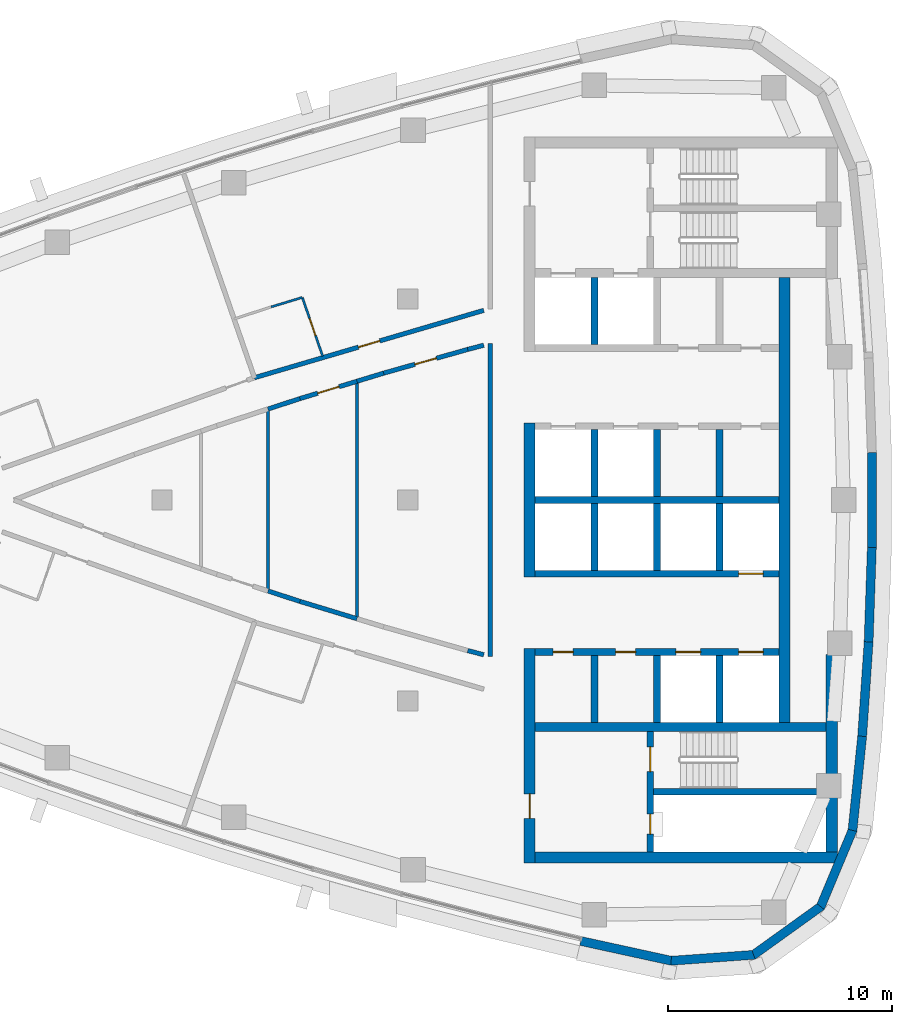
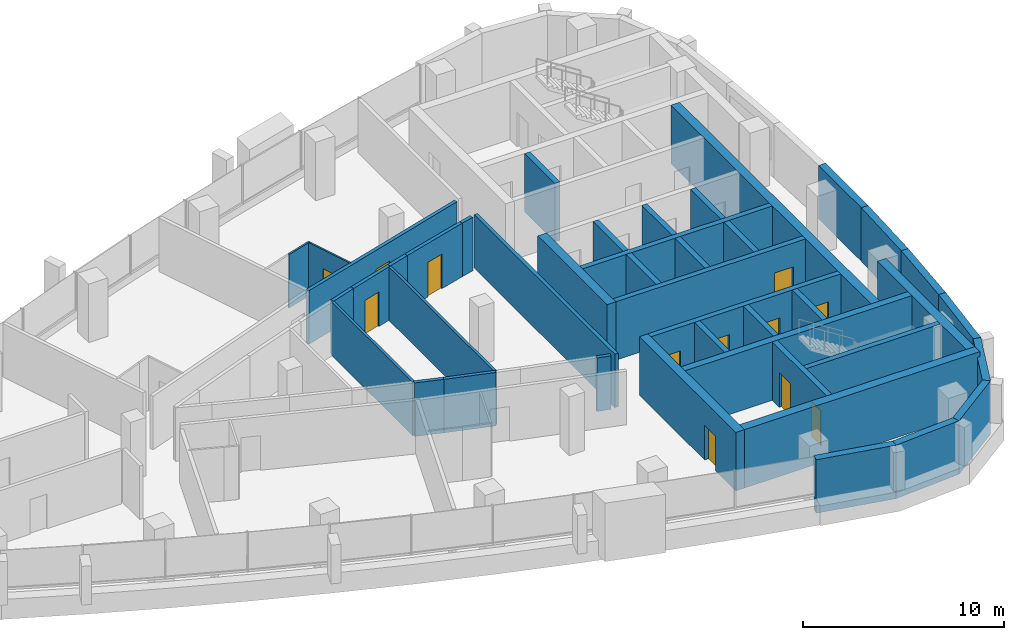
# One storey, part 8 of 13: 43 walls, 12 doors, 12 openings.
"""IFC4 building model written with IfcOpenShell, lengths in metres."""

from ifc_helpers import new_model, si_unit, direction, frame, frame_2d, origin, place, context, subcontext, project, spatial, polyline, rectangle, outline, extrude, material, layer, layer_set, type_object, element, fill, save


model = new_model("IFC4")

# Units and contexts
model_context = context("Model", 3, precision=1e-05, world=origin(), true_north=direction((0.0, 1.0)))
body_context = subcontext(model_context, "Body", "Model", "MODEL_VIEW")
ifc_project = project(units=[si_unit("LENGTHUNIT", "METRE"), si_unit("AREAUNIT", "SQUARE_METRE"), si_unit("VOLUMEUNIT", "CUBIC_METRE"), si_unit("PLANEANGLEUNIT", "RADIAN"), si_unit("MASSUNIT", "GRAM", prefix="KILO")], contexts=[model_context])

# Site, building, storey
site_placement = place(None, origin())
site = spatial("IfcSite", under=ifc_project, at=site_placement, CompositionType="ELEMENT")
building_placement = place(site_placement, origin())
building = spatial("IfcBuilding", under=site, at=building_placement, Name="Ostrand Prow Hotel Tower", CompositionType="ELEMENT")
storey_placement = place(building_placement, frame((0.0, 0.0, 282.10009765625)))
storey = spatial("IfcBuildingStorey", under=building, at=storey_placement, Name="L71", CompositionType="ELEMENT", Elevation=282.10009765625)

# Walls
ifc_material_1 = material(Name="Concrete C50/60", Category="concrete")
ifc_layer_1 = layer(ifc_material_1, 0.300048828125)
ifc_layer_set_1 = layer_set([ifc_layer_1], Name="Concrete C50/60")
wall_type_1 = type_object("IfcWallType", Name="Core wall 300 C50/60", PredefinedType="SHEAR", material=ifc_layer_set_1)
wall_1_placement = place(storey_placement, frame((50.699951171875, 0.0, 0.0), z_axis=(0.0, 0.0, 1.0), x_axis=(1.0, 0.0, 0.0)))
element("IfcWall", 1, at=wall_1_placement, inside=storey, type_object=wall_type_1, Name="Core wall PW-C", PredefinedType="SHEAR", context=body_context, shape_type="SweptSolid", body=[
    extrude(rectangle(XDim=10.900146484375, YDim=0.300048828125, at=frame_2d((5.4501953125, 0.0))), origin(), (0.0, 0.0, 1.0), 3.5498046875),
])
for number, where, z_axis, x_axis, name in (
    (2, (53.35009765625, 0.14990234375, 0.0), (0.0, 0.0, 1.0), (0.0, 1.0, 0.0), "Core wall PW-R1-NB"),
    (3, (53.35009765625, 6.949951171875, 0.0), (0.0, 0.0, 1.0), (0.0, 1.0, 0.0), "Core wall PW-R1-NA"),
    (4, (56.14990234375, 0.14990234375, 0.0), (0.0, 0.0, 1.0), (0.0, 1.0, 0.0), "Core wall PW-R2-NB"),
    (5, (58.949951171875, 0.14990234375, 0.0), (0.0, 0.0, 1.0), (0.0, 1.0, 0.0), "Core wall PW-R3-NB"),
):
    element("IfcWall", number, at=place(storey_placement, frame(where, z_axis=z_axis, x_axis=x_axis)), inside=storey, type_object=wall_type_1, Name=name, PredefinedType="SHEAR", context=body_context, shape_type="SweptSolid", body=[
        extrude(rectangle(XDim=3.0, YDim=0.300048828125, at=frame_2d((1.5, 0.0))), origin(), (0.0, 0.0, 1.0), 3.5498046875),
    ])

# Wall, opening, door
wall_2_placement = place(storey_placement, frame((50.699951171875, -3.300048828125, 0.0), z_axis=(0.0, 0.0, 1.0), x_axis=(1.0, 0.0, 0.0)))
wall_2 = element("IfcWall", 6, at=wall_2_placement, inside=storey, type_object=wall_type_1, Name="Core wall PW-L1-S", PredefinedType="SHEAR", context=body_context, shape_type="SweptSolid", body=[
    extrude(rectangle(XDim=10.900146484375, YDim=0.300048828125, at=frame_2d((5.4501953125, 0.0))), origin(), (0.0, 0.0, 1.0), 3.5498046875),
])
opening_1_placement = place(wall_2_placement, frame((9.10009765625, 0.0, 0.0)))
opening_1 = element("IfcOpeningElement", 7, at=opening_1_placement, cuts=wall_2, Name="Opening LD", PredefinedType="OPENING", context=body_context, shape_type="SweptSolid", body=[
    extrude(rectangle(XDim=1.10009765625, YDim=2.10009765625, at=frame_2d((0.550048828125, 1.050048828125))), frame((0.0, 0.159912109375, 0.0), z_axis=(0.0, -1.0, 0.0), x_axis=(1.0, 0.0, 0.0)), (0.0, 0.0, 1.0), 0.320068359375),
])
ifc_material_2 = material(Name="Stainless steel door", Category="steel")
door_type_1 = type_object("IfcDoorType", Name="Lift landing door 1100", OperationType="DOUBLE_DOOR_SLIDING", PredefinedType="DOOR", material=ifc_material_2)
door_1_placement = place(opening_1_placement, origin())
door_1 = element("IfcDoor", 8, at=door_1_placement, inside=storey, type_object=door_type_1, Name="LIFT LANDING DOOR", OperationType="DOUBLE_DOOR_SLIDING", OverallHeight=2.10009765625, OverallWidth=1.10009765625, PredefinedType="DOOR", context=body_context, shape_type="SweptSolid", body=[
    extrude(rectangle(XDim=1.10009765625, YDim=2.10009765625, at=frame_2d((0.550048828125, 1.050048828125))), frame((0.0, 0.02490234375, 0.0), z_axis=(0.0, -1.0, 0.0), x_axis=(1.0, 0.0, 0.0)), (0.0, 0.0, 1.0), 0.050048828125),
])
fill(opening_1, door_1)

# Wall, openings, doors
wall_3_placement = place(storey_placement, frame((50.699951171875, -6.800048828125, 0.0), z_axis=(0.0, 0.0, 1.0), x_axis=(1.0, 0.0, 0.0)))
wall_3 = element("IfcWall", 9, at=wall_3_placement, inside=storey, type_object=wall_type_1, Name="Core wall PW-L2-S", PredefinedType="SHEAR", context=body_context, shape_type="SweptSolid", body=[
    extrude(rectangle(XDim=10.900146484375, YDim=0.300048828125, at=frame_2d((5.4501953125, 0.0))), origin(), (0.0, 0.0, 1.0), 3.5498046875),
])
opening_2_placement = place(wall_3_placement, frame((6.300048828125, 0.0, 0.0)))
opening_2 = element("IfcOpeningElement", 10, at=opening_2_placement, cuts=wall_3, Name="Opening LD", PredefinedType="OPENING", context=body_context, shape_type="SweptSolid", body=[
    extrude(rectangle(XDim=1.10009765625, YDim=2.10009765625, at=frame_2d((0.550048828125, 1.050048828125))), frame((0.0, 0.159912109375, 0.0), z_axis=(0.0, -1.0, 0.0), x_axis=(1.0, 0.0, 0.0)), (0.0, 0.0, 1.0), 0.320068359375),
])
opening_3_placement = place(wall_3_placement, frame((9.10009765625, 0.0, 0.0)))
opening_3 = element("IfcOpeningElement", 11, at=opening_3_placement, cuts=wall_3, Name="Opening LD", PredefinedType="OPENING", context=body_context, shape_type="SweptSolid", body=[
    extrude(rectangle(XDim=1.10009765625, YDim=2.10009765625, at=frame_2d((0.550048828125, 1.050048828125))), frame((0.0, 0.159912109375, 0.0), z_axis=(0.0, -1.0, 0.0), x_axis=(1.0, 0.0, 0.0)), (0.0, 0.0, 1.0), 0.320068359375),
])
opening_4_placement = place(wall_3_placement, frame((0.800048828125, 0.0, 0.0)))
opening_4 = element("IfcOpeningElement", 12, at=opening_4_placement, cuts=wall_3, Name="Opening FD2", PredefinedType="OPENING", context=body_context, shape_type="SweptSolid", body=[
    extrude(rectangle(XDim=0.89990234375, YDim=2.10009765625, at=frame_2d((0.449951171875, 1.050048828125))), frame((0.0, 0.159912109375, 0.0), z_axis=(0.0, -1.0, 0.0), x_axis=(1.0, 0.0, 0.0)), (0.0, 0.0, 1.0), 0.320068359375),
])
opening_5_placement = place(wall_3_placement, frame((3.60009765625, 0.0, 0.0)))
opening_5 = element("IfcOpeningElement", 13, at=opening_5_placement, cuts=wall_3, Name="Opening FD2", PredefinedType="OPENING", context=body_context, shape_type="SweptSolid", body=[
    extrude(rectangle(XDim=0.89990234375, YDim=2.10009765625, at=frame_2d((0.449951171875, 1.050048828125))), frame((0.0, 0.159912109375, 0.0), z_axis=(0.0, -1.0, 0.0), x_axis=(1.0, 0.0, 0.0)), (0.0, 0.0, 1.0), 0.320068359375),
])
ifc_material_3 = material(Name="Steel fire door", Category="steel")
door_type_2 = type_object("IfcDoorType", Name="Fire door 900 EI120", OperationType="SINGLE_SWING_LEFT", PredefinedType="DOOR", material=ifc_material_3)
door_2_placement = place(opening_4_placement, origin())
door_2 = element("IfcDoor", 14, at=door_2_placement, inside=storey, type_object=door_type_2, Name="DOOR", OperationType="SINGLE_SWING_LEFT", OverallHeight=2.10009765625, OverallWidth=0.89990234375, PredefinedType="DOOR", context=body_context, shape_type="SweptSolid", body=[
    extrude(rectangle(XDim=0.89990234375, YDim=2.10009765625, at=frame_2d((0.449951171875, 1.050048828125))), frame((0.0, 0.02490234375, 0.0), z_axis=(0.0, -1.0, 0.0), x_axis=(1.0, 0.0, 0.0)), (0.0, 0.0, 1.0), 0.050048828125),
])
fill(opening_4, door_2)
door_3_placement = place(opening_5_placement, origin())
door_3 = element("IfcDoor", 15, at=door_3_placement, inside=storey, type_object=door_type_2, Name="DOOR", OperationType="SINGLE_SWING_LEFT", OverallHeight=2.10009765625, OverallWidth=0.89990234375, PredefinedType="DOOR", context=body_context, shape_type="SweptSolid", body=[
    extrude(rectangle(XDim=0.89990234375, YDim=2.10009765625, at=frame_2d((0.449951171875, 1.050048828125))), frame((0.0, 0.02490234375, 0.0), z_axis=(0.0, -1.0, 0.0), x_axis=(1.0, 0.0, 0.0)), (0.0, 0.0, 1.0), 0.050048828125),
])
fill(opening_5, door_3)
door_4_placement = place(opening_2_placement, origin())
door_4 = element("IfcDoor", 16, at=door_4_placement, inside=storey, type_object=door_type_1, Name="LIFT LANDING DOOR", OperationType="DOUBLE_DOOR_SLIDING", OverallHeight=2.10009765625, OverallWidth=1.10009765625, PredefinedType="DOOR", context=body_context, shape_type="SweptSolid", body=[
    extrude(rectangle(XDim=1.10009765625, YDim=2.10009765625, at=frame_2d((0.550048828125, 1.050048828125))), frame((0.0, 0.02490234375, 0.0), z_axis=(0.0, -1.0, 0.0), x_axis=(1.0, 0.0, 0.0)), (0.0, 0.0, 1.0), 0.050048828125),
])
fill(opening_2, door_4)
door_5_placement = place(opening_3_placement, origin())
door_5 = element("IfcDoor", 17, at=door_5_placement, inside=storey, type_object=door_type_1, Name="LIFT LANDING DOOR", OperationType="DOUBLE_DOOR_SLIDING", OverallHeight=2.10009765625, OverallWidth=1.10009765625, PredefinedType="DOOR", context=body_context, shape_type="SweptSolid", body=[
    extrude(rectangle(XDim=1.10009765625, YDim=2.10009765625, at=frame_2d((0.550048828125, 1.050048828125))), frame((0.0, 0.02490234375, 0.0), z_axis=(0.0, -1.0, 0.0), x_axis=(1.0, 0.0, 0.0)), (0.0, 0.0, 1.0), 0.050048828125),
])
fill(opening_3, door_5)

# Walls
for number, where, z_axis, x_axis, name in (
    (18, (53.35009765625, -3.14990234375, 0.0), (0.0, 0.0, 1.0), (0.0, 1.0, 0.0), "Core wall PW-R1-SB"),
    (19, (53.35009765625, -9.949951171875, 0.0), (0.0, 0.0, 1.0), (0.0, 1.0, 0.0), "Core wall PW-R1-SA"),
    (20, (56.14990234375, -3.14990234375, 0.0), (0.0, 0.0, 1.0), (0.0, 1.0, 0.0), "Core wall PW-R2-SB"),
    (21, (56.14990234375, -9.949951171875, 0.0), (0.0, 0.0, 1.0), (0.0, 1.0, 0.0), "Core wall PW-R2-SA"),
    (22, (58.949951171875, -3.14990234375, 0.0), (0.0, 0.0, 1.0), (0.0, 1.0, 0.0), "Core wall PW-R3-SB"),
    (23, (58.949951171875, -9.949951171875, 0.0), (0.0, 0.0, 1.0), (0.0, 1.0, 0.0), "Core wall PW-R3-SA"),
):
    element("IfcWall", number, at=place(storey_placement, frame(where, z_axis=z_axis, x_axis=x_axis)), inside=storey, type_object=wall_type_1, Name=name, PredefinedType="SHEAR", context=body_context, shape_type="SweptSolid", body=[
        extrude(rectangle(XDim=3.0, YDim=0.300048828125, at=frame_2d((1.5, 0.0))), origin(), (0.0, 0.0, 1.0), 3.5498046875),
    ])

# Wall, openings, doors
wall_4_placement = place(storey_placement, frame((55.85009765625, -15.75, 0.0), z_axis=(0.0, 0.0, 1.0), x_axis=(0.0, 1.0, 0.0)))
wall_4 = element("IfcWall", 24, at=wall_4_placement, inside=storey, type_object=wall_type_1, Name="Core wall PW-VS", PredefinedType="SHEAR", context=body_context, shape_type="SweptSolid", body=[
    extrude(rectangle(XDim=5.39990234375, YDim=0.300048828125, at=frame_2d((2.699951171875, 0.0))), origin(), (0.0, 0.0, 1.0), 3.5498046875),
])
opening_6_placement = place(wall_4_placement, frame((3.60009765625, 0.0, 0.0)))
opening_6 = element("IfcOpeningElement", 25, at=opening_6_placement, cuts=wall_4, Name="Opening FD1", PredefinedType="OPENING", context=body_context, shape_type="SweptSolid", body=[
    extrude(rectangle(XDim=1.10009765625, YDim=2.10009765625, at=frame_2d((0.550048828125, 1.050048828125))), frame((0.0, 0.159912109375, 0.0), z_axis=(0.0, -1.0, 0.0), x_axis=(1.0, 0.0, 0.0)), (0.0, 0.0, 1.0), 0.320068359375),
])
opening_7_placement = place(wall_4_placement, frame((0.800048828125, 0.0, 0.0)))
opening_7 = element("IfcOpeningElement", 26, at=opening_7_placement, cuts=wall_4, Name="Opening FD2", PredefinedType="OPENING", context=body_context, shape_type="SweptSolid", body=[
    extrude(rectangle(XDim=0.89990234375, YDim=2.10009765625, at=frame_2d((0.449951171875, 1.050048828125))), frame((0.0, 0.159912109375, 0.0), z_axis=(0.0, -1.0, 0.0), x_axis=(1.0, 0.0, 0.0)), (0.0, 0.0, 1.0), 0.320068359375),
])
ifc_material_4 = material(Name="Steel fire door", Category="steel")
door_type_3 = type_object("IfcDoorType", Name="Fire door 1100 EI120", OperationType="SINGLE_SWING_RIGHT", PredefinedType="DOOR", material=ifc_material_4)
door_6_placement = place(opening_6_placement, origin())
door_6 = element("IfcDoor", 27, at=door_6_placement, inside=storey, type_object=door_type_3, Name="FIRE DOOR", OperationType="SINGLE_SWING_RIGHT", OverallHeight=2.10009765625, OverallWidth=1.10009765625, PredefinedType="DOOR", context=body_context, shape_type="SweptSolid", body=[
    extrude(rectangle(XDim=1.10009765625, YDim=2.10009765625, at=frame_2d((0.550048828125, 1.050048828125))), frame((0.0, 0.02490234375, 0.0), z_axis=(0.0, -1.0, 0.0), x_axis=(1.0, 0.0, 0.0)), (0.0, 0.0, 1.0), 0.050048828125),
])
fill(opening_6, door_6)
door_7_placement = place(opening_7_placement, origin())
door_7 = element("IfcDoor", 28, at=door_7_placement, inside=storey, type_object=door_type_2, Name="FIRE DOOR", OperationType="SINGLE_SWING_LEFT", OverallHeight=2.10009765625, OverallWidth=0.89990234375, PredefinedType="DOOR", context=body_context, shape_type="SweptSolid", body=[
    extrude(rectangle(XDim=0.89990234375, YDim=2.10009765625, at=frame_2d((0.449951171875, 1.050048828125))), frame((0.0, 0.02490234375, 0.0), z_axis=(0.0, -1.0, 0.0), x_axis=(1.0, 0.0, 0.0)), (0.0, 0.0, 1.0), 0.050048828125),
])
fill(opening_7, door_7)

# Walls
wall_5_placement = place(storey_placement, frame((56.0, -13.050048828125, 0.0), z_axis=(0.0, 0.0, 1.0), x_axis=(1.0, 0.0, 0.0)))
element("IfcWall", 29, at=wall_5_placement, inside=storey, type_object=wall_type_1, Name="Core wall PW-ST2R", PredefinedType="SHEAR", context=body_context, shape_type="SweptSolid", body=[
    extrude(rectangle(XDim=7.719970703125, YDim=0.300048828125, at=frame_2d((3.85986328125, 0.0))), origin(), (0.0, 0.0, 1.0), 3.5498046875),
])
ifc_material_5 = material(Name="Concrete C50/60", Category="concrete")
ifc_layer_2 = layer(ifc_material_5, 0.39990234375)
ifc_layer_set_2 = layer_set([ifc_layer_2], Name="Concrete C50/60")
wall_type_2 = type_object("IfcWallType", Name="Core wall 400 C50/60", PredefinedType="SHEAR", material=ifc_layer_set_2)
wall_6_placement = place(storey_placement, frame((50.699951171875, -10.14990234375, 0.0), z_axis=(0.0, 0.0, 1.0), x_axis=(1.0, 0.0, 0.0)))
element("IfcWall", 30, at=wall_6_placement, inside=storey, type_object=wall_type_2, Name="Core wall PW-BS", PredefinedType="SHEAR", context=body_context, shape_type="SweptSolid", body=[
    extrude(rectangle(XDim=13.02001953125, YDim=0.39990234375, at=frame_2d((6.510009765625, 0.0))), origin(), (0.0, 0.0, 1.0), 3.5498046875),
])
ifc_material_6 = material(Name="Concrete C50/60", Category="concrete")
ifc_layer_3 = layer(ifc_material_6, 0.5)
ifc_layer_set_3 = layer_set([ifc_layer_3], Name="Concrete C50/60")
wall_type_3 = type_object("IfcWallType", Name="Core wall 500 C50/60", PredefinedType="SHEAR", material=ifc_layer_set_3)
wall_7_placement = place(storey_placement, frame((50.449951171875, -3.449951171875, 0.0), z_axis=(0.0, 0.0, 1.0), x_axis=(0.0, 1.0, 0.0)))
element("IfcWall", 31, at=wall_7_placement, inside=storey, type_object=wall_type_3, Name="Core wall CW-W-C", PredefinedType="SHEAR", context=body_context, shape_type="SweptSolid", body=[
    extrude(rectangle(XDim=6.89990234375, YDim=0.5, at=frame_2d((3.449951171875, 0.0))), origin(), (0.0, 0.0, 1.0), 3.5498046875),
])

# Wall, opening, door
wall_8_placement = place(storey_placement, frame((50.449951171875, -16.25, 0.0), z_axis=(0.0, 0.0, 1.0), x_axis=(0.0, 1.0, 0.0)))
wall_8 = element("IfcWall", 32, at=wall_8_placement, inside=storey, type_object=wall_type_3, Name="Core wall CW-W-S", PredefinedType="SHEAR", context=body_context, shape_type="SweptSolid", body=[
    extrude(rectangle(XDim=9.60009765625, YDim=0.5, at=frame_2d((4.800048828125, 0.0))), origin(), (0.0, 0.0, 1.0), 3.5498046875),
])
opening_8_placement = place(wall_8_placement, frame((2.0, 0.0, 0.0)))
opening_8 = element("IfcOpeningElement", 33, at=opening_8_placement, cuts=wall_8, Name="Opening FD1", PredefinedType="OPENING", context=body_context, shape_type="SweptSolid", body=[
    extrude(rectangle(XDim=1.10009765625, YDim=2.10009765625, at=frame_2d((0.550048828125, 1.050048828125))), frame((0.0, 0.260009765625, 0.0), z_axis=(0.0, -1.0, 0.0), x_axis=(1.0, 0.0, 0.0)), (0.0, 0.0, 1.0), 0.52001953125),
])
door_8_placement = place(opening_8_placement, origin())
door_8 = element("IfcDoor", 34, at=door_8_placement, inside=storey, type_object=door_type_3, Name="FIRE DOOR", OperationType="SINGLE_SWING_RIGHT", OverallHeight=2.10009765625, OverallWidth=1.10009765625, PredefinedType="DOOR", context=body_context, shape_type="SweptSolid", body=[
    extrude(rectangle(XDim=1.10009765625, YDim=2.10009765625, at=frame_2d((0.550048828125, 1.050048828125))), frame((0.0, 0.02490234375, 0.0), z_axis=(0.0, -1.0, 0.0), x_axis=(1.0, 0.0, 0.0)), (0.0, 0.0, 1.0), 0.050048828125),
])
fill(opening_8, door_8)

# Walls
wall_9_placement = place(storey_placement, frame((50.699951171875, -16.0, 0.0), z_axis=(0.0, 0.0, 1.0), x_axis=(1.0, 0.0, 0.0)))
element("IfcWall", 35, at=wall_9_placement, inside=storey, type_object=wall_type_3, Name="Core wall CW-S", PredefinedType="SHEAR", context=body_context, shape_type="SweptSolid", body=[
    extrude(rectangle(XDim=13.52001953125, YDim=0.5, at=frame_2d((6.760009765625, 0.0))), origin(), (0.0, 0.0, 1.0), 3.5498046875),
])
wall_10_placement = place(storey_placement, frame((63.969970703125, -15.75, 0.0), z_axis=(0.0, 0.0, 1.0), x_axis=(0.0, 1.0, 0.0)))
element("IfcWall", 36, at=wall_10_placement, inside=storey, type_object=wall_type_3, Name="Core wall CW-E-S", PredefinedType="SHEAR", context=body_context, shape_type="SweptSolid", body=[
    extrude(rectangle(XDim=8.8466796875, YDim=0.5, at=frame_2d((4.42333984375, 0.0))), origin(), (0.0, 0.0, 1.0), 3.5498046875),
])
wall_11_placement = place(storey_placement, frame((61.85009765625, -9.949951171875, 0.0), z_axis=(0.0, 0.0, 1.0), x_axis=(0.0, 1.0, 0.0)))
element("IfcWall", 37, at=wall_11_placement, inside=storey, type_object=wall_type_3, Name="Core wall CW-E-C", PredefinedType="SHEAR", context=body_context, shape_type="SweptSolid", body=[
    extrude(rectangle(XDim=19.89990234375, YDim=0.5, at=frame_2d((9.949951171875, 0.0))), origin(), (0.0, 0.0, 1.0), 3.5498046875),
])
ifc_material_7 = material(Name="Plasterboard partition")
ifc_layer_4 = layer(ifc_material_7, 0.10009765625)
ifc_layer_set_4 = layer_set([ifc_layer_4], Name="Plasterboard partition")
wall_type_4 = type_object("IfcWallType", Name="Partition 100 bathroom wall", PredefinedType="PARTITIONING", material=ifc_layer_set_4)
wall_12_placement = place(storey_placement, frame((38.88232421875, 8.6376953125, 0.0), z_axis=(0.0, 0.0, 1.0), x_axis=(0.956734544447, 0.290962216555, 0.0)))
element("IfcWall", 38, at=wall_12_placement, inside=storey, type_object=wall_type_4, Name="BATHROOM WALL", PredefinedType="PARTITIONING", context=body_context, shape_type="SweptSolid", body=[
    extrude(rectangle(XDim=1.461669921875, YDim=0.10009765625, at=frame_2d((0.73095703125, 0.0))), origin(), (0.0, 0.0, 1.0), 3.25),
])

# Wall, opening, door
wall_13_placement = place(storey_placement, frame((40.281005859375, 9.062744140625, 0.0), z_axis=(0.0, 0.0, 1.0), x_axis=(0.327695885805, -0.944783258968, 0.0)))
wall_13 = element("IfcWall", 39, at=wall_13_placement, inside=storey, type_object=wall_type_4, Name="BATHROOM WALL", PredefinedType="PARTITIONING", context=body_context, shape_type="SweptSolid", body=[
    extrude(rectangle(XDim=2.779052734375, YDim=0.10009765625, at=frame_2d((1.3896484375, 0.0))), origin(), (0.0, 0.0, 1.0), 3.25),
])
opening_9_placement = place(wall_13_placement, frame((1.0, 0.0, 0.0)))
opening_9 = element("IfcOpeningElement", 40, at=opening_9_placement, cuts=wall_13, Name="Opening D2", PredefinedType="OPENING", context=body_context, shape_type="SweptSolid", body=[
    extrude(rectangle(XDim=0.800048828125, YDim=2.10009765625, at=frame_2d((0.39990234375, 1.050048828125))), frame((0.0, 0.06005859375, 0.0), z_axis=(0.0, -1.0, 0.0), x_axis=(1.0, 0.0, 0.0)), (0.0, 0.0, 1.0), 0.1201171875),
])
ifc_material_8 = material(Name="Timber door leaf", Category="wood")
door_type_4 = type_object("IfcDoorType", Name="Bathroom door 800", OperationType="SINGLE_SWING_LEFT", PredefinedType="DOOR", material=ifc_material_8)
door_9_placement = place(opening_9_placement, origin())
door_9 = element("IfcDoor", 41, at=door_9_placement, inside=storey, type_object=door_type_4, Name="DOOR", OperationType="SINGLE_SWING_LEFT", OverallHeight=2.10009765625, OverallWidth=0.800048828125, PredefinedType="DOOR", context=body_context, shape_type="SweptSolid", body=[
    extrude(rectangle(XDim=0.800048828125, YDim=2.10009765625, at=frame_2d((0.39990234375, 1.050048828125))), frame((0.0, 0.02490234375, 0.0), z_axis=(0.0, -1.0, 0.0), x_axis=(1.0, 0.0, 0.0)), (0.0, 0.0, 1.0), 0.050048828125),
])
fill(opening_9, door_9)

# Walls
ifc_material_9 = material(Name="Plasterboard partition")
ifc_layer_5 = layer(ifc_material_9, 0.14990234375)
ifc_layer_set_5 = layer_set([ifc_layer_5], Name="Plasterboard partition")
wall_type_5 = type_object("IfcWallType", Name="Partition 150 room partition", PredefinedType="PARTITIONING", material=ifc_layer_set_5)
wall_14_placement = place(storey_placement, frame((38.746337890625, -4.0703125, 0.0), z_axis=(0.0, 0.0, 1.0), x_axis=(0.0, 1.0, 0.0)))
element("IfcWall", 42, at=wall_14_placement, inside=storey, type_object=wall_type_5, Name="ROOM PARTITION", PredefinedType="PARTITIONING", context=body_context, shape_type="SweptSolid", body=[
    extrude(rectangle(XDim=8.140625, YDim=0.14990234375, at=frame_2d((4.0703125, 0.0))), origin(), (0.0, 0.0, 1.0), 3.25),
])
wall_15_placement = place(storey_placement, frame((42.727783203125, -5.3125, 0.0), z_axis=(0.0, 0.0, 1.0), x_axis=(0.0, 1.0, 0.0)))
element("IfcWall", 43, at=wall_15_placement, inside=storey, type_object=wall_type_5, Name="ROOM PARTITION", PredefinedType="PARTITIONING", context=body_context, shape_type="SweptSolid", body=[
    extrude(rectangle(XDim=10.625, YDim=0.14990234375, at=frame_2d((5.3125, 0.0))), origin(), (0.0, 0.0, 1.0), 3.25),
])

# Wall, opening, door
ifc_material_10 = material(Name="Plasterboard partition")
ifc_layer_6 = layer(ifc_material_10, 0.199951171875)
ifc_layer_set_6 = layer_set([ifc_layer_6], Name="Plasterboard partition")
wall_type_6 = type_object("IfcWallType", Name="Partition 200 corridor wall", PredefinedType="PARTITIONING", material=ifc_layer_set_6)
wall_16_placement = place(storey_placement, frame((40.1748046875, 4.5361328125, 0.0), z_axis=(0.0, 0.0, 1.0), x_axis=(0.95673923086, 0.290946806363, 0.0)))
wall_16 = element("IfcWall", 44, at=wall_16_placement, inside=storey, type_object=wall_type_6, Name="CORRIDOR WALL", PredefinedType="PARTITIONING", context=body_context, shape_type="SweptSolid", body=[
    extrude(rectangle(XDim=2.66845703125, YDim=0.199951171875, at=frame_2d((1.334228515625, 0.0))), origin(), (0.0, 0.0, 1.0), 3.25),
])
opening_10_placement = place(wall_16_placement, frame((0.834228515625, 0.0, 0.0)))
opening_10 = element("IfcOpeningElement", 45, at=opening_10_placement, cuts=wall_16, Name="Opening D1R", PredefinedType="OPENING", context=body_context, shape_type="SweptSolid", body=[
    extrude(rectangle(XDim=1.0, YDim=2.10009765625, at=frame_2d((0.5, 1.050048828125))), frame((0.0, 0.10986328125, 0.0), z_axis=(0.0, -1.0, 0.0), x_axis=(1.0, 0.0, 0.0)), (0.0, 0.0, 1.0), 0.219970703125),
])
ifc_material_11 = material(Name="Timber door leaf", Category="wood")
door_type_5 = type_object("IfcDoorType", Name="Guest room door 1000 right", OperationType="SINGLE_SWING_RIGHT", PredefinedType="DOOR", material=ifc_material_11)
door_10_placement = place(opening_10_placement, origin())
door_10 = element("IfcDoor", 46, at=door_10_placement, inside=storey, type_object=door_type_5, Name="DOOR", OperationType="SINGLE_SWING_RIGHT", OverallHeight=2.10009765625, OverallWidth=1.0, PredefinedType="DOOR", context=body_context, shape_type="SweptSolid", body=[
    extrude(rectangle(XDim=1.0, YDim=2.10009765625, at=frame_2d((0.5, 1.050048828125))), frame((0.0, 0.02490234375, 0.0), z_axis=(0.0, -1.0, 0.0), x_axis=(1.0, 0.0, 0.0)), (0.0, 0.0, 1.0), 0.050048828125),
])
fill(opening_10, door_10)

# Walls
wall_17_placement = place(storey_placement, frame((42.727783203125, -5.3125, 0.0), z_axis=(0.0, 0.0, 1.0), x_axis=(-0.95673923086, 0.290946806363, 0.0)))
element("IfcWall", 47, at=wall_17_placement, inside=storey, type_object=wall_type_6, Name="CORRIDOR WALL", PredefinedType="PARTITIONING", context=body_context, shape_type="SweptSolid", body=[
    extrude(rectangle(XDim=2.66845703125, YDim=0.199951171875, at=frame_2d((1.334228515625, 0.0))), origin(), (0.0, 0.0, 1.0), 3.25),
])
for number, where, z_axis, x_axis, name in (
    (48, (40.1748046875, -4.5361328125, 0.0), (0.0, 0.0, 1.0), (-0.950726715968, 0.310030178442, 0.0), "CORRIDOR WALL"),
    (49, (38.746337890625, 4.0703125, 0.0), (0.0, 0.0, 1.0), (0.950726715968, 0.310030178442, 0.0), "CORRIDOR WALL"),
):
    element("IfcWall", number, at=place(storey_placement, frame(where, z_axis=z_axis, x_axis=x_axis)), inside=storey, type_object=wall_type_6, Name=name, PredefinedType="PARTITIONING", context=body_context, shape_type="SweptSolid", body=[
        extrude(rectangle(XDim=1.50244140625, YDim=0.199951171875, at=frame_2d((0.751220703125, 0.0))), origin(), (0.0, 0.0, 1.0), 3.25),
    ])

# Wall, opening, door
wall_18_placement = place(storey_placement, frame((43.91845703125, 5.6748046875, 0.0), z_axis=(0.0, 0.0, 1.0), x_axis=(0.962411212211, 0.271596499628, 0.0)))
wall_18 = element("IfcWall", 50, at=wall_18_placement, inside=storey, type_object=wall_type_6, Name="CORRIDOR WALL", PredefinedType="PARTITIONING", context=body_context, shape_type="SweptSolid", body=[
    extrude(rectangle(XDim=3.912841796875, YDim=0.199951171875, at=frame_2d((1.95654296875, 0.0))), origin(), (0.0, 0.0, 1.0), 3.25),
])
opening_11_placement = place(wall_18_placement, frame((1.45654296875, 0.0, 0.0)))
opening_11 = element("IfcOpeningElement", 51, at=opening_11_placement, cuts=wall_18, Name="Opening D1", PredefinedType="OPENING", context=body_context, shape_type="SweptSolid", body=[
    extrude(rectangle(XDim=1.0, YDim=2.10009765625, at=frame_2d((0.5, 1.050048828125))), frame((0.0, 0.10986328125, 0.0), z_axis=(0.0, -1.0, 0.0), x_axis=(1.0, 0.0, 0.0)), (0.0, 0.0, 1.0), 0.219970703125),
])
ifc_material_12 = material(Name="Timber door leaf", Category="wood")
door_type_6 = type_object("IfcDoorType", Name="Guest room door 1000", OperationType="SINGLE_SWING_LEFT", PredefinedType="DOOR", material=ifc_material_12)
door_11_placement = place(opening_11_placement, origin())
door_11 = element("IfcDoor", 52, at=door_11_placement, inside=storey, type_object=door_type_6, Name="DOOR", OperationType="SINGLE_SWING_LEFT", OverallHeight=2.10009765625, OverallWidth=1.0, PredefinedType="DOOR", context=body_context, shape_type="SweptSolid", body=[
    extrude(rectangle(XDim=1.0, YDim=2.10009765625, at=frame_2d((0.5, 1.050048828125))), frame((0.0, 0.02490234375, 0.0), z_axis=(0.0, -1.0, 0.0), x_axis=(1.0, 0.0, 0.0)), (0.0, 0.0, 1.0), 0.050048828125),
])
fill(opening_11, door_11)

# Wall
wall_19_placement = place(storey_placement, frame((42.727783203125, 5.3125, 0.0), z_axis=(0.0, 0.0, 1.0), x_axis=(0.956690508666, 0.291106974546, 0.0)))
element("IfcWall", 53, at=wall_19_placement, inside=storey, type_object=wall_type_6, Name="CORRIDOR WALL", PredefinedType="PARTITIONING", context=body_context, shape_type="SweptSolid", body=[
    extrude(rectangle(XDim=1.24462890625, YDim=0.199951171875, at=frame_2d((0.622314453125, 0.0))), origin(), (0.0, 0.0, 1.0), 3.25),
])

# Wall, opening, door
wall_20_placement = place(storey_placement, frame((48.39990234375, 8.485107421875, 0.0), z_axis=(0.0, 0.0, 1.0), x_axis=(-0.959461783262, -0.281838759682, 0.0)))
wall_20 = element("IfcWall", 54, at=wall_20_placement, inside=storey, type_object=wall_type_6, Name="CORRIDOR WALL", PredefinedType="PARTITIONING", context=body_context, shape_type="SweptSolid", body=[
    extrude(rectangle(XDim=10.69384765625, YDim=0.199951171875, at=frame_2d((5.346923828125, 0.0))), origin(), (0.0, 0.0, 1.0), 3.25),
])
opening_12_placement = place(wall_20_placement, frame((4.846923828125, 0.0, 0.0)))
opening_12 = element("IfcOpeningElement", 55, at=opening_12_placement, cuts=wall_20, Name="Opening D1", PredefinedType="OPENING", context=body_context, shape_type="SweptSolid", body=[
    extrude(rectangle(XDim=1.0, YDim=2.10009765625, at=frame_2d((0.5, 1.050048828125))), frame((0.0, 0.10986328125, 0.0), z_axis=(0.0, -1.0, 0.0), x_axis=(1.0, 0.0, 0.0)), (0.0, 0.0, 1.0), 0.219970703125),
])
door_12_placement = place(opening_12_placement, origin())
door_12 = element("IfcDoor", 56, at=door_12_placement, inside=storey, type_object=door_type_6, Name="DOOR", OperationType="SINGLE_SWING_LEFT", OverallHeight=2.10009765625, OverallWidth=1.0, PredefinedType="DOOR", context=body_context, shape_type="SweptSolid", body=[
    extrude(rectangle(XDim=1.0, YDim=2.10009765625, at=frame_2d((0.5, 1.050048828125))), frame((0.0, 0.02490234375, 0.0), z_axis=(0.0, -1.0, 0.0), x_axis=(1.0, 0.0, 0.0)), (0.0, 0.0, 1.0), 0.050048828125),
])
fill(opening_12, door_12)

# Walls
for number, where, z_axis, x_axis, name in (
    (57, (47.684326171875, 6.737548828125, 0.0), (0.0, 0.0, 1.0), (0.967585713416, 0.252542842294, 0.0), "CORRIDOR WALL"),
    (58, (48.39990234375, -6.92431640625, 0.0), (0.0, 0.0, 1.0), (-0.967585713416, 0.252542842294, 0.0), "CORRIDOR WALL"),
):
    element("IfcWall", number, at=place(storey_placement, frame(where, z_axis=z_axis, x_axis=x_axis)), inside=storey, type_object=wall_type_6, Name=name, PredefinedType="PARTITIONING", context=body_context, shape_type="SweptSolid", body=[
        extrude(rectangle(XDim=0.739501953125, YDim=0.199951171875, at=frame_2d((0.36962890625, 0.0))), origin(), (0.0, 0.0, 1.0), 3.25),
    ])
wall_21_placement = place(storey_placement, frame((48.695068359375, 6.995849609375, 0.0), z_axis=(0.0, 0.0, 1.0), x_axis=(0.0, -1.0, 0.0)))
element("IfcWall", 59, at=wall_21_placement, inside=storey, type_object=wall_type_6, Name="CORRIDOR WALL", PredefinedType="PARTITIONING", context=body_context, shape_type="SweptSolid", body=[
    extrude(rectangle(XDim=13.99169921875, YDim=0.199951171875, at=frame_2d((6.995849609375, 0.0))), origin(), (0.0, 0.0, 1.0), 3.25),
])
ifc_material_13 = material(Name="Precast concrete C40/50", Category="concrete")
ifc_layer_7 = layer(ifc_material_13, 0.39990234375)
ifc_layer_set_7 = layer_set([ifc_layer_7], Name="Precast concrete C40/50")
wall_type_7 = type_object("IfcWallType", Name="Stone-faced precast wall 400 mm", PredefinedType="NOTDEFINED", material=ifc_layer_set_7)
wall_22_placement = place(storey_placement, frame((52.73828125, -19.73193359375, 0.0), z_axis=(0.0, 0.0, 1.0), x_axis=(0.977020225348, -0.213146614471, 0.0)))
element("IfcWall", 60, at=wall_22_placement, inside=storey, type_object=wall_type_7, Name="Stone-faced wall back 1", PredefinedType="NOTDEFINED", context=body_context, shape_type="SweptSolid", body=[
    extrude(outline(polyline([(0.0, -0.199951171875), (4.170654296875, -0.199951171875), (4.113037109375, 0.199951171875), (0.0, 0.199951171875), (0.0, -0.199951171875)])), origin(), (0.0, 0.0, 1.0), 3.25),
])
wall_23_placement = place(storey_placement, frame((56.784912109375, -20.61474609375, 0.0), z_axis=(0.0, 0.0, 1.0), x_axis=(0.99746272096, 0.071190731806, 0.0)))
element("IfcWall", 61, at=wall_23_placement, inside=storey, type_object=wall_type_7, Name="Stone-faced wall back 2", PredefinedType="NOTDEFINED", context=body_context, shape_type="SweptSolid", body=[
    extrude(outline(polyline([(-0.02880859375, -0.199951171875), (3.75341796875, -0.199951171875), (3.64013671875, 0.199951171875), (0.02880859375, 0.199951171875), (-0.02880859375, -0.199951171875)])), origin(), (0.0, 0.0, 1.0), 3.25),
])
wall_24_placement = place(storey_placement, frame((60.472412109375, -20.3515625, 0.0), z_axis=(0.0, 0.0, 1.0), x_axis=(0.811962548682, 0.583709533533, 0.0)))
element("IfcWall", 62, at=wall_24_placement, inside=storey, type_object=wall_type_7, Name="Stone-faced wall back 3", PredefinedType="NOTDEFINED", context=body_context, shape_type="SweptSolid", body=[
    extrude(outline(polyline([(-0.056640625, -0.199951171875), (3.753173828125, -0.199951171875), (3.639892578125, 0.199951171875), (0.056640625, 0.199951171875), (-0.056640625, -0.199951171875)])), origin(), (0.0, 0.0, 1.0), 3.25),
])
wall_25_placement = place(storey_placement, frame((63.473876953125, -18.19384765625, 0.0), z_axis=(0.0, 0.0, 1.0), x_axis=(0.385285857918, 0.922797273343, 0.0)))
element("IfcWall", 63, at=wall_25_placement, inside=storey, type_object=wall_type_7, Name="Stone-faced wall back 4", PredefinedType="NOTDEFINED", context=body_context, shape_type="SweptSolid", body=[
    extrude(outline(polyline([(-0.056640625, -0.199951171875), (3.726318359375, -0.199951171875), (3.667236328125, 0.199951171875), (0.056640625, 0.199951171875), (-0.056640625, -0.199951171875)])), origin(), (0.0, 0.0, 1.0), 3.25),
])
wall_26_placement = place(storey_placement, frame((64.898193359375, -14.782470703125, 0.0), z_axis=(0.0, 0.0, 1.0), x_axis=(0.102249826987, 0.994758751096, 0.0)))
element("IfcWall", 64, at=wall_26_placement, inside=storey, type_object=wall_type_7, Name="Stone-faced wall back 5", PredefinedType="NOTDEFINED", context=body_context, shape_type="SweptSolid", body=[
    extrude(outline(polyline([(-0.029541015625, -0.199951171875), (4.23681640625, -0.199951171875), (4.22998046875, 0.199951171875), (0.029541015625, 0.199951171875), (-0.029541015625, -0.199951171875)])), origin(), (0.0, 0.0, 1.0), 3.25),
])
for number, where, z_axis, x_axis, name in (
    (65, (65.3310546875, -10.5712890625, 0.0), (0.0, 0.0, 1.0), (0.068279584479, 0.997666225921, 0.0), "Stone-faced wall back 6"),
    (66, (65.6201171875, -6.34765625, 0.0), (0.0, 0.0, 1.0), (0.034082898699, 0.999419009233, 0.0), "Stone-faced wall back 7"),
    (67, (65.764404296875, -2.11669921875, 0.0), (0.0, 0.0, 1.0), (0.0, 1.0, 0.0), "Stone-faced wall back 8"),
):
    element("IfcWall", number, at=place(storey_placement, frame(where, z_axis=z_axis, x_axis=x_axis)), inside=storey, type_object=wall_type_7, Name=name, PredefinedType="NOTDEFINED", context=body_context, shape_type="SweptSolid", body=[
        extrude(outline(polyline([(-0.00341796875, -0.199951171875), (4.23681640625, -0.199951171875), (4.22998046875, 0.199951171875), (0.00341796875, 0.199951171875), (-0.00341796875, -0.199951171875)])), origin(), (0.0, 0.0, 1.0), 3.25),
    ])

save(model, "model.ifc")
